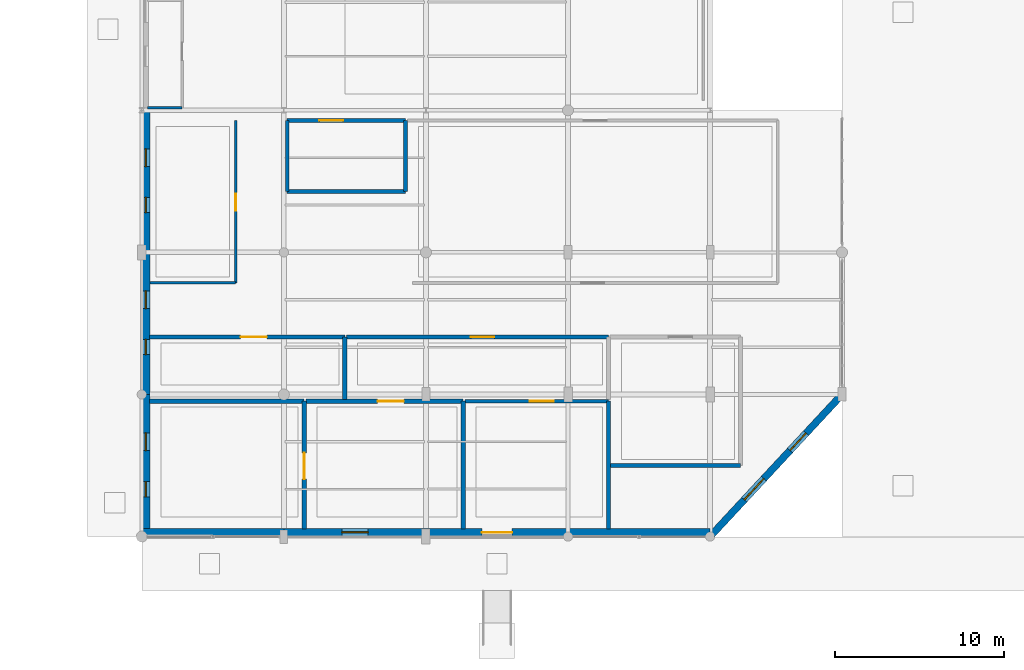
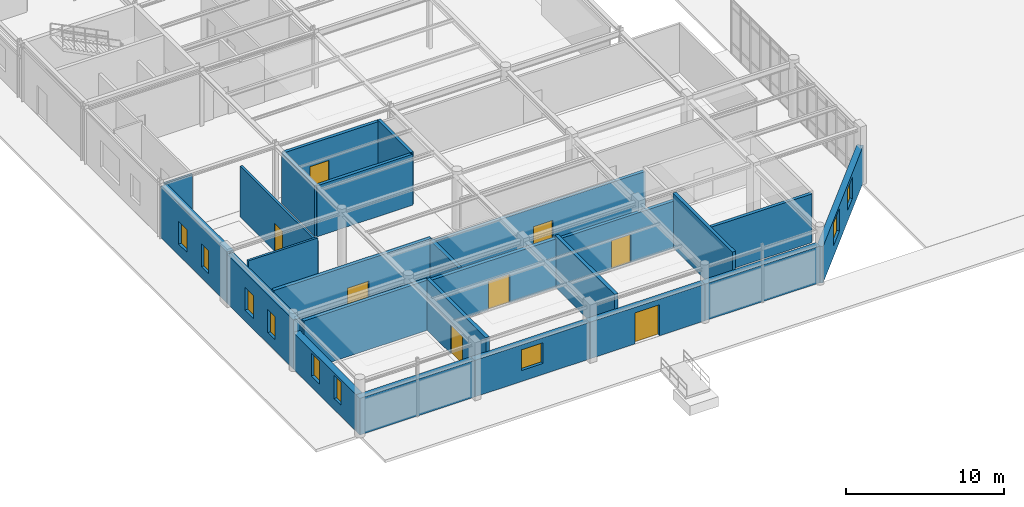
# One storey, part 78 of 101: 25 walls, 9 windows, 8 doors, 17 openings.
"""IFC4 building model written with IfcOpenShell, lengths in metres."""

from ifc_helpers import new_model, si_unit, derived_unit, direction, frame, frame_2d, origin, place, context, subcontext, project, spatial, rectangle, extrude, material, layer, layer_set, type_object, element, fill, save


model = new_model("IFC4")

# Units and contexts
model_context = context("Model", 3, precision=1e-05, world=origin(), true_north=direction((0.0, 1.0)))
body_context = subcontext(model_context, "Body", "Model", "MODEL_VIEW")
ifc_project = project(units=[si_unit("LENGTHUNIT", "METRE"), si_unit("AREAUNIT", "SQUARE_METRE"), si_unit("VOLUMEUNIT", "CUBIC_METRE"), si_unit("PLANEANGLEUNIT", "RADIAN"), si_unit("MASSUNIT", "GRAM", prefix="KILO"), derived_unit("THERMALTRANSMITTANCEUNIT", [(si_unit("POWERUNIT", "WATT"), 1), (si_unit("AREAUNIT", "SQUARE_METRE"), -1), (si_unit("THERMODYNAMICTEMPERATUREUNIT", "KELVIN"), -1)])], contexts=[model_context])

# Site, building, storey
site_placement = place(None, origin())
site = spatial("IfcSite", under=ifc_project, at=site_placement, CompositionType="ELEMENT")
building_placement = place(site_placement, origin())
building = spatial("IfcBuilding", under=site, at=building_placement, Name="Yasenodar Specialist Clinic", CompositionType="ELEMENT")
storey_placement = place(building_placement, origin())
storey = spatial("IfcBuildingStorey", under=building, at=storey_placement, Name="L00", CompositionType="ELEMENT", Elevation=0.0)

# Wall, openings, windows
ifc_material_1 = material(Name="Kapustianske Red Granite Ashlar Rainscreen", Category="masonry")
ifc_layer_1 = layer(ifc_material_1, 0.419921875)
ifc_layer_set_1 = layer_set([ifc_layer_1], Name="Kapustianske Red Granite Ashlar Rainscreen")
wall_type_1 = type_object("IfcWallType", Name="EW-GRAN-420", PredefinedType="SOLIDWALL", material=ifc_layer_set_1)
wall_1_placement = place(storey_placement, frame((41.39990234375, 8.39990234375, 0.0), z_axis=(0.0, 0.0, 1.0), x_axis=(-0.680446197767, -0.732798043082, 0.0)))
wall_1 = element("IfcWall", 1, at=wall_1_placement, inside=storey, type_object=wall_type_1, Name="L00 Exterior Facade Wall 0047", PredefinedType="SOLIDWALL", context=body_context, shape_type="SweptSolid", body=[
    extrude(rectangle(XDim=11.462890625, YDim=0.419921875, at=frame_2d((5.7314453125, 0.0))), origin(), (0.0, 0.0, 1.0), 2.827880859375),
])
opening_1_placement = place(wall_1_placement, frame((3.12109375, 0.0, 0.85009765625)))
opening_1 = element("IfcOpeningElement", 2, at=opening_1_placement, cuts=wall_1, Name="Opening W-11", PredefinedType="OPENING", context=body_context, shape_type="SweptSolid", body=[
    extrude(rectangle(XDim=1.39990234375, YDim=1.64990234375, at=frame_2d((0.699951171875, 0.824951171875))), frame((0.0, 0.219970703125, 0.0), z_axis=(0.0, -1.0, 0.0), x_axis=(1.0, 0.0, 0.0)), (0.0, 0.0, 1.0), 0.43994140625),
])
opening_2_placement = place(wall_1_placement, frame((6.7919921875, 0.0, 0.85009765625)))
opening_2 = element("IfcOpeningElement", 3, at=opening_2_placement, cuts=wall_1, Name="Opening W-12", PredefinedType="OPENING", context=body_context, shape_type="SweptSolid", body=[
    extrude(rectangle(XDim=1.699951171875, YDim=1.75, at=frame_2d((0.85009765625, 0.875))), frame((0.0, 0.219970703125, 0.0), z_axis=(0.0, -1.0, 0.0), x_axis=(1.0, 0.0, 0.0)), (0.0, 0.0, 1.0), 0.43994140625),
])
ifc_material_2 = material(Name="Triple Low-E Argon Glazing in Bronze Aluminium Frame", Category="aluminium")
window_type_1 = type_object("IfcWindowType", Name="WIN-EXT-11", PartitioningType="SINGLE_PANEL", PredefinedType="WINDOW", material=ifc_material_2)
window_1_placement = place(opening_1_placement, origin())
window_1 = element("IfcWindow", 4, at=window_1_placement, inside=storey, type_object=window_type_1, Name="L00 Triple-Glazed Reveal Window 0029", OverallHeight=1.64990234375, OverallWidth=1.39990234375, PartitioningType="SINGLE_PANEL", PredefinedType="WINDOW", context=body_context, shape_type="SweptSolid", body=[
    extrude(rectangle(XDim=1.39990234375, YDim=1.64990234375, at=frame_2d((0.699951171875, 0.824951171875))), frame((0.0, 0.030029296875, 0.0), z_axis=(0.0, -1.0, 0.0), x_axis=(1.0, 0.0, 0.0)), (0.0, 0.0, 1.0), 0.06005859375),
])
fill(opening_1, window_1)
window_type_2 = type_object("IfcWindowType", Name="WIN-EXT-12", PartitioningType="SINGLE_PANEL", PredefinedType="WINDOW", material=ifc_material_2)
window_2_placement = place(opening_2_placement, origin())
window_2 = element("IfcWindow", 5, at=window_2_placement, inside=storey, type_object=window_type_2, Name="L00 Triple-Glazed Reveal Window 0030", OverallHeight=1.75, OverallWidth=1.699951171875, PartitioningType="SINGLE_PANEL", PredefinedType="WINDOW", context=body_context, shape_type="SweptSolid", body=[
    extrude(rectangle(XDim=1.699951171875, YDim=1.75, at=frame_2d((0.85009765625, 0.875))), frame((0.0, 0.030029296875, 0.0), z_axis=(0.0, -1.0, 0.0), x_axis=(1.0, 0.0, 0.0)), (0.0, 0.0, 1.0), 0.06005859375),
])
fill(opening_2, window_2)

# Wall
ifc_material_3 = material(Name="Shielded Kapustianske Granite MRI Vault Wall", Category="masonry")
ifc_layer_2 = layer(ifc_material_3, 0.47998046875)
ifc_layer_set_2 = layer_set([ifc_layer_2], Name="Shielded Kapustianske Granite MRI Vault Wall")
wall_type_2 = type_object("IfcWallType", Name="EW-MRI-480", PredefinedType="SOLIDWALL", material=ifc_layer_set_2)
wall_2_placement = place(storey_placement, frame((33.60009765625, 0.239990234375, 0.0), z_axis=(0.0, 0.0, 1.0), x_axis=(-1.0, 0.0, 0.0)))
element("IfcWall", 6, at=wall_2_placement, inside=storey, type_object=wall_type_2, Name="L00 Exterior Facade Wall 0040", PredefinedType="SOLIDWALL", context=body_context, shape_type="SweptSolid", body=[
    extrude(rectangle(XDim=8.400146484375, YDim=0.47998046875, at=frame_2d((4.2001953125, 0.0))), origin(), (0.0, 0.0, 1.0), 2.827880859375),
])

# Wall, opening, door
wall_3_placement = place(storey_placement, frame((25.199951171875, 0.239990234375, 0.0), z_axis=(0.0, 0.0, 1.0), x_axis=(-1.0, 0.0, 0.0)))
wall_3 = element("IfcWall", 7, at=wall_3_placement, inside=storey, type_object=wall_type_2, Name="L00 Exterior Facade Wall 0041", PredefinedType="SOLIDWALL", context=body_context, shape_type="SweptSolid", body=[
    extrude(rectangle(XDim=8.39990234375, YDim=0.47998046875, at=frame_2d((4.199951171875, 0.0))), origin(), (0.0, 0.0, 1.0), 2.827880859375),
])
opening_3_placement = place(wall_3_placement, frame((3.300048828125, 0.0, 0.0)))
opening_3 = element("IfcOpeningElement", 8, at=opening_3_placement, cuts=wall_3, Name="Opening EX-03", PredefinedType="OPENING", context=body_context, shape_type="SweptSolid", body=[
    extrude(rectangle(XDim=1.800048828125, YDim=2.39990234375, at=frame_2d((0.89990234375, 1.199951171875))), frame((0.0, 0.25, 0.0), z_axis=(0.0, -1.0, 0.0), x_axis=(1.0, 0.0, 0.0)), (0.0, 0.0, 1.0), 0.5),
])
ifc_material_4 = material(Name="Thermally Broken Bronze Anodized Aluminium and Laminated Glass", Category="aluminium")
door_type_1 = type_object("IfcDoorType", Name="DR-EX-180", OperationType="DOUBLE_DOOR_SINGLE_SWING", PredefinedType="DOOR", material=ifc_material_4)
door_1_placement = place(opening_3_placement, origin())
door_1 = element("IfcDoor", 9, at=door_1_placement, inside=storey, type_object=door_type_1, Name="L00 Imaging South Fire-Lane Exit Door EX-08", OperationType="DOUBLE_DOOR_SINGLE_SWING", OverallHeight=2.39990234375, OverallWidth=1.800048828125, PredefinedType="DOOR", context=body_context, shape_type="SweptSolid", body=[
    extrude(rectangle(XDim=1.800048828125, YDim=2.39990234375, at=frame_2d((0.89990234375, 1.199951171875))), frame((0.0, 0.02490234375, 0.0), z_axis=(0.0, -1.0, 0.0), x_axis=(1.0, 0.0, 0.0)), (0.0, 0.0, 1.0), 0.050048828125),
])
fill(opening_3, door_1)

# Wall, opening, window
wall_4_placement = place(storey_placement, frame((16.800048828125, 0.239990234375, 0.0), z_axis=(0.0, 0.0, 1.0), x_axis=(-1.0, 0.0, 0.0)))
wall_4 = element("IfcWall", 10, at=wall_4_placement, inside=storey, type_object=wall_type_2, Name="L00 Exterior Facade Wall 0042", PredefinedType="SOLIDWALL", context=body_context, shape_type="SweptSolid", body=[
    extrude(rectangle(XDim=8.400146484375, YDim=0.47998046875, at=frame_2d((4.2001953125, 0.0))), origin(), (0.0, 0.0, 1.0), 2.827880859375),
])
opening_4_placement = place(wall_4_placement, frame((3.425048828125, 0.0, 0.85009765625)))
opening_4 = element("IfcOpeningElement", 11, at=opening_4_placement, cuts=wall_4, Name="Opening W-16", PredefinedType="OPENING", context=body_context, shape_type="SweptSolid", body=[
    extrude(rectangle(XDim=1.550048828125, YDim=1.60009765625, at=frame_2d((0.77490234375, 0.800048828125))), frame((0.0, 0.25, 0.0), z_axis=(0.0, -1.0, 0.0), x_axis=(1.0, 0.0, 0.0)), (0.0, 0.0, 1.0), 0.5),
])
window_type_3 = type_object("IfcWindowType", Name="WIN-EXT-16", PartitioningType="SINGLE_PANEL", PredefinedType="WINDOW", material=ifc_material_2)
window_3_placement = place(opening_4_placement, origin())
window_3 = element("IfcWindow", 12, at=window_3_placement, inside=storey, type_object=window_type_3, Name="L00 Triple-Glazed Reveal Window 0022", OverallHeight=1.60009765625, OverallWidth=1.550048828125, PartitioningType="SINGLE_PANEL", PredefinedType="WINDOW", context=body_context, shape_type="SweptSolid", body=[
    extrude(rectangle(XDim=1.550048828125, YDim=1.60009765625, at=frame_2d((0.77490234375, 0.800048828125))), frame((0.0, 0.030029296875, 0.0), z_axis=(0.0, -1.0, 0.0), x_axis=(1.0, 0.0, 0.0)), (0.0, 0.0, 1.0), 0.06005859375),
])
fill(opening_4, window_3)

# Wall
wall_5_placement = place(storey_placement, frame((8.39990234375, 0.239990234375, 0.0), z_axis=(0.0, 0.0, 1.0), x_axis=(-1.0, 0.0, 0.0)))
element("IfcWall", 13, at=wall_5_placement, inside=storey, type_object=wall_type_2, Name="L00 Exterior Facade Wall 0043", PredefinedType="SOLIDWALL", context=body_context, shape_type="SweptSolid", body=[
    extrude(rectangle(XDim=8.39990234375, YDim=0.47998046875, at=frame_2d((4.199951171875, 0.0))), origin(), (0.0, 0.0, 1.0), 2.827880859375),
])

# Wall, openings, windows
wall_6_placement = place(storey_placement, frame((0.239990234375, 0.0, 0.0), z_axis=(0.0, 0.0, 1.0), x_axis=(0.0, 1.0, 0.0)))
wall_6 = element("IfcWall", 14, at=wall_6_placement, inside=storey, type_object=wall_type_2, Name="L00 Exterior Facade Wall 0044", PredefinedType="SOLIDWALL", context=body_context, shape_type="SweptSolid", body=[
    extrude(rectangle(XDim=8.39990234375, YDim=0.47998046875, at=frame_2d((4.199951171875, 0.0))), origin(), (0.0, 0.0, 1.0), 2.827880859375),
])
opening_5_placement = place(wall_6_placement, frame((2.35009765625, 0.0, 0.85009765625)))
opening_5 = element("IfcOpeningElement", 15, at=opening_5_placement, cuts=wall_6, Name="Opening W-09", PredefinedType="OPENING", context=body_context, shape_type="SweptSolid", body=[
    extrude(rectangle(XDim=0.89990234375, YDim=1.800048828125, at=frame_2d((0.449951171875, 0.89990234375))), frame((0.0, 0.25, 0.0), z_axis=(0.0, -1.0, 0.0), x_axis=(1.0, 0.0, 0.0)), (0.0, 0.0, 1.0), 0.5),
])
opening_6_placement = place(wall_6_placement, frame((5.074951171875, 0.0, 0.85009765625)))
opening_6 = element("IfcOpeningElement", 16, at=opening_6_placement, cuts=wall_6, Name="Opening W-10", PredefinedType="OPENING", context=body_context, shape_type="SweptSolid", body=[
    extrude(rectangle(XDim=1.050048828125, YDim=1.75, at=frame_2d((0.52490234375, 0.875))), frame((0.0, 0.25, 0.0), z_axis=(0.0, -1.0, 0.0), x_axis=(1.0, 0.0, 0.0)), (0.0, 0.0, 1.0), 0.5),
])
window_type_4 = type_object("IfcWindowType", Name="WIN-EXT-09", PartitioningType="SINGLE_PANEL", PredefinedType="WINDOW", material=ifc_material_2)
window_4_placement = place(opening_5_placement, origin())
window_4 = element("IfcWindow", 17, at=window_4_placement, inside=storey, type_object=window_type_4, Name="L00 Triple-Glazed Reveal Window 0023", OverallHeight=1.800048828125, OverallWidth=0.89990234375, PartitioningType="SINGLE_PANEL", PredefinedType="WINDOW", context=body_context, shape_type="SweptSolid", body=[
    extrude(rectangle(XDim=0.89990234375, YDim=1.800048828125, at=frame_2d((0.449951171875, 0.89990234375))), frame((0.0, 0.030029296875, 0.0), z_axis=(0.0, -1.0, 0.0), x_axis=(1.0, 0.0, 0.0)), (0.0, 0.0, 1.0), 0.06005859375),
])
fill(opening_5, window_4)
window_type_5 = type_object("IfcWindowType", Name="WIN-EXT-10", PartitioningType="SINGLE_PANEL", PredefinedType="WINDOW", material=ifc_material_2)
window_5_placement = place(opening_6_placement, origin())
window_5 = element("IfcWindow", 18, at=window_5_placement, inside=storey, type_object=window_type_5, Name="L00 Triple-Glazed Reveal Window 0024", OverallHeight=1.75, OverallWidth=1.050048828125, PartitioningType="SINGLE_PANEL", PredefinedType="WINDOW", context=body_context, shape_type="SweptSolid", body=[
    extrude(rectangle(XDim=1.050048828125, YDim=1.75, at=frame_2d((0.52490234375, 0.875))), frame((0.0, 0.030029296875, 0.0), z_axis=(0.0, -1.0, 0.0), x_axis=(1.0, 0.0, 0.0)), (0.0, 0.0, 1.0), 0.06005859375),
])
fill(opening_6, window_5)

wall_7_placement = place(storey_placement, frame((0.239990234375, 8.39990234375, 0.0), z_axis=(0.0, 0.0, 1.0), x_axis=(0.0, 1.0, 0.0)))
wall_7 = element("IfcWall", 19, at=wall_7_placement, inside=storey, type_object=wall_type_2, Name="L00 Exterior Facade Wall 0045", PredefinedType="SOLIDWALL", context=body_context, shape_type="SweptSolid", body=[
    extrude(rectangle(XDim=8.400146484375, YDim=0.47998046875, at=frame_2d((4.2001953125, 0.0))), origin(), (0.0, 0.0, 1.0), 3.77294921875),
])
opening_7_placement = place(wall_7_placement, frame((2.35009765625, 0.0, 0.85009765625)))
opening_7 = element("IfcOpeningElement", 20, at=opening_7_placement, cuts=wall_7, Name="Opening W-09", PredefinedType="OPENING", context=body_context, shape_type="SweptSolid", body=[
    extrude(rectangle(XDim=0.89990234375, YDim=1.800048828125, at=frame_2d((0.449951171875, 0.89990234375))), frame((0.0, 0.25, 0.0), z_axis=(0.0, -1.0, 0.0), x_axis=(1.0, 0.0, 0.0)), (0.0, 0.0, 1.0), 0.5),
])
opening_8_placement = place(wall_7_placement, frame((5.074951171875, 0.0, 0.85009765625)))
opening_8 = element("IfcOpeningElement", 21, at=opening_8_placement, cuts=wall_7, Name="Opening W-10", PredefinedType="OPENING", context=body_context, shape_type="SweptSolid", body=[
    extrude(rectangle(XDim=1.050048828125, YDim=1.75, at=frame_2d((0.52490234375, 0.875))), frame((0.0, 0.25, 0.0), z_axis=(0.0, -1.0, 0.0), x_axis=(1.0, 0.0, 0.0)), (0.0, 0.0, 1.0), 0.5),
])
window_6_placement = place(opening_7_placement, origin())
window_6 = element("IfcWindow", 22, at=window_6_placement, inside=storey, type_object=window_type_4, Name="L00 Triple-Glazed Reveal Window 0025", OverallHeight=1.800048828125, OverallWidth=0.89990234375, PartitioningType="SINGLE_PANEL", PredefinedType="WINDOW", context=body_context, shape_type="SweptSolid", body=[
    extrude(rectangle(XDim=0.89990234375, YDim=1.800048828125, at=frame_2d((0.449951171875, 0.89990234375))), frame((0.0, 0.030029296875, 0.0), z_axis=(0.0, -1.0, 0.0), x_axis=(1.0, 0.0, 0.0)), (0.0, 0.0, 1.0), 0.06005859375),
])
fill(opening_7, window_6)
window_7_placement = place(opening_8_placement, origin())
window_7 = element("IfcWindow", 23, at=window_7_placement, inside=storey, type_object=window_type_5, Name="L00 Triple-Glazed Reveal Window 0026", OverallHeight=1.75, OverallWidth=1.050048828125, PartitioningType="SINGLE_PANEL", PredefinedType="WINDOW", context=body_context, shape_type="SweptSolid", body=[
    extrude(rectangle(XDim=1.050048828125, YDim=1.75, at=frame_2d((0.52490234375, 0.875))), frame((0.0, 0.030029296875, 0.0), z_axis=(0.0, -1.0, 0.0), x_axis=(1.0, 0.0, 0.0)), (0.0, 0.0, 1.0), 0.06005859375),
])
fill(opening_8, window_7)

wall_8_placement = place(storey_placement, frame((0.239990234375, 16.800048828125, 0.0), z_axis=(0.0, 0.0, 1.0), x_axis=(0.0, 1.0, 0.0)))
wall_8 = element("IfcWall", 24, at=wall_8_placement, inside=storey, type_object=wall_type_2, Name="L00 Exterior Facade Wall 0046", PredefinedType="SOLIDWALL", context=body_context, shape_type="SweptSolid", body=[
    extrude(rectangle(XDim=8.39990234375, YDim=0.47998046875, at=frame_2d((4.199951171875, 0.0))), origin(), (0.0, 0.0, 1.0), 3.943115234375),
])
opening_9_placement = place(wall_8_placement, frame((2.35009765625, 0.0, 0.85009765625)))
opening_9 = element("IfcOpeningElement", 25, at=opening_9_placement, cuts=wall_8, Name="Opening W-09", PredefinedType="OPENING", context=body_context, shape_type="SweptSolid", body=[
    extrude(rectangle(XDim=0.89990234375, YDim=1.800048828125, at=frame_2d((0.449951171875, 0.89990234375))), frame((0.0, 0.25, 0.0), z_axis=(0.0, -1.0, 0.0), x_axis=(1.0, 0.0, 0.0)), (0.0, 0.0, 1.0), 0.5),
])
opening_10_placement = place(wall_8_placement, frame((5.074951171875, 0.0, 0.85009765625)))
opening_10 = element("IfcOpeningElement", 26, at=opening_10_placement, cuts=wall_8, Name="Opening W-10", PredefinedType="OPENING", context=body_context, shape_type="SweptSolid", body=[
    extrude(rectangle(XDim=1.050048828125, YDim=1.75, at=frame_2d((0.52490234375, 0.875))), frame((0.0, 0.25, 0.0), z_axis=(0.0, -1.0, 0.0), x_axis=(1.0, 0.0, 0.0)), (0.0, 0.0, 1.0), 0.5),
])
window_8_placement = place(opening_9_placement, origin())
window_8 = element("IfcWindow", 27, at=window_8_placement, inside=storey, type_object=window_type_4, Name="L00 Triple-Glazed Reveal Window 0027", OverallHeight=1.800048828125, OverallWidth=0.89990234375, PartitioningType="SINGLE_PANEL", PredefinedType="WINDOW", context=body_context, shape_type="SweptSolid", body=[
    extrude(rectangle(XDim=0.89990234375, YDim=1.800048828125, at=frame_2d((0.449951171875, 0.89990234375))), frame((0.0, 0.030029296875, 0.0), z_axis=(0.0, -1.0, 0.0), x_axis=(1.0, 0.0, 0.0)), (0.0, 0.0, 1.0), 0.06005859375),
])
fill(opening_9, window_8)
window_9_placement = place(opening_10_placement, origin())
window_9 = element("IfcWindow", 28, at=window_9_placement, inside=storey, type_object=window_type_5, Name="L00 Triple-Glazed Reveal Window 0028", OverallHeight=1.75, OverallWidth=1.050048828125, PartitioningType="SINGLE_PANEL", PredefinedType="WINDOW", context=body_context, shape_type="SweptSolid", body=[
    extrude(rectangle(XDim=1.050048828125, YDim=1.75, at=frame_2d((0.52490234375, 0.875))), frame((0.0, 0.030029296875, 0.0), z_axis=(0.0, -1.0, 0.0), x_axis=(1.0, 0.0, 0.0)), (0.0, 0.0, 1.0), 0.06005859375),
])
fill(opening_10, window_9)

# Wall
ifc_material_5 = material(Name="Outpatient Examination Partition")
ifc_layer_3 = layer(ifc_material_5, 0.14990234375)
ifc_layer_set_3 = layer_set([ifc_layer_3], Name="Outpatient Examination Partition")
wall_type_3 = type_object("IfcWallType", Name="IW-CONS-150", PredefinedType="PARTITIONING", material=ifc_layer_set_3)
wall_9_placement = place(storey_placement, frame((0.35009765625, 25.35009765625, 0.0), z_axis=(0.0, 0.0, 1.0), x_axis=(1.0, 0.0, 0.0)))
element("IfcWall", 29, at=wall_9_placement, inside=storey, type_object=wall_type_3, Name="L00 Phlebotomy Suite South Partition", PredefinedType="PARTITIONING", context=body_context, shape_type="SweptSolid", body=[
    extrude(rectangle(XDim=2.02978515625, YDim=0.14990234375, at=frame_2d((1.014892578125, 0.0))), origin(), (0.0, 0.0, 1.0), 3.97802734375),
])

# Wall, opening, door
ifc_material_6 = material(Name="Acoustic Double-Gypsum Consulting Partition")
ifc_layer_4 = layer(ifc_material_6, 0.159912109375)
ifc_layer_set_4 = layer_set([ifc_layer_4], Name="Acoustic Double-Gypsum Consulting Partition")
wall_type_4 = type_object("IfcWallType", Name="IW-CONS-160", PredefinedType="PARTITIONING", material=ifc_layer_set_4)
wall_10_placement = place(storey_placement, frame((5.550048828125, 15.0, 0.0), z_axis=(0.0, 0.0, 1.0), x_axis=(0.0, 1.0, 0.0)))
wall_10 = element("IfcWall", 30, at=wall_10_placement, inside=storey, type_object=wall_type_4, Name="L00 Contrast Prep and Cannulation Room Partition", PredefinedType="PARTITIONING", context=body_context, shape_type="SweptSolid", body=[
    extrude(rectangle(XDim=9.60009765625, YDim=0.159912109375, at=frame_2d((4.800048828125, 0.0))), origin(), (0.0, 0.0, 1.0), 3.943115234375),
])
opening_11_placement = place(wall_10_placement, frame((4.25, 0.0, 0.0)))
opening_11 = element("IfcOpeningElement", 31, at=opening_11_placement, cuts=wall_10, Name="Opening D-03", PredefinedType="OPENING", context=body_context, shape_type="SweptSolid", body=[
    extrude(rectangle(XDim=1.02001953125, YDim=2.14990234375, at=frame_2d((0.510009765625, 1.074951171875))), frame((0.0, 0.08984375, 0.0), z_axis=(0.0, -1.0, 0.0), x_axis=(1.0, 0.0, 0.0)), (0.0, 0.0, 1.0), 0.179931640625),
])
ifc_material_7 = material(Name="Powder-Coated Steel and Acoustic Laminate Leaf", Category="steel")
door_type_2 = type_object("IfcDoorType", Name="DR-CLN-102", OperationType="NOTDEFINED", PredefinedType="DOOR", material=ifc_material_7)
door_2_placement = place(opening_11_placement, origin())
door_2 = element("IfcDoor", 32, at=door_2_placement, inside=storey, type_object=door_type_2, Name="L00 Contrast Prep and Cannulation Room Door", OperationType="SINGLE_SWING_LEFT", OverallHeight=2.14990234375, OverallWidth=1.02001953125, PredefinedType="DOOR", context=body_context, shape_type="SweptSolid", body=[
    extrude(rectangle(XDim=1.02001953125, YDim=2.14990234375, at=frame_2d((0.510009765625, 1.074951171875))), frame((0.0, 0.02490234375, 0.0), z_axis=(0.0, -1.0, 0.0), x_axis=(1.0, 0.0, 0.0)), (0.0, 0.0, 1.0), 0.050048828125),
])
fill(opening_11, door_2)

# Wall
wall_11_placement = place(storey_placement, frame((0.47998046875, 15.0, 0.0), z_axis=(0.0, 0.0, 1.0), x_axis=(1.0, 0.0, 0.0)))
element("IfcWall", 33, at=wall_11_placement, inside=storey, type_object=wall_type_4, Name="L00 Contrast Prep and Cannulation Room Partition", PredefinedType="PARTITIONING", context=body_context, shape_type="SweptSolid", body=[
    extrude(rectangle(XDim=5.070068359375, YDim=0.159912109375, at=frame_2d((2.53515625, 0.0))), origin(), (0.0, 0.0, 1.0), 4.22998046875),
])

# Wall, opening, door
ifc_material_8 = material(Name="Shielded CT Control Partition")
ifc_layer_5 = layer(ifc_material_8, 0.22998046875)
ifc_layer_set_5 = layer_set([ifc_layer_5], Name="Shielded CT Control Partition")
wall_type_5 = type_object("IfcWallType", Name="IW-LEAD-230", PredefinedType="PARTITIONING", material=ifc_layer_set_5)
wall_12_placement = place(storey_placement, frame((8.60009765625, 24.60009765625, 0.0), z_axis=(0.0, 0.0, 1.0), x_axis=(1.0, 0.0, 0.0)))
wall_12 = element("IfcWall", 34, at=wall_12_placement, inside=storey, type_object=wall_type_5, Name="L00 Fire Command Centre Partition", PredefinedType="PARTITIONING", context=body_context, shape_type="SweptSolid", body=[
    extrude(rectangle(XDim=7.0, YDim=0.22998046875, at=frame_2d((3.5, 0.0))), origin(), (0.0, 0.0, 1.0), 3.93310546875),
])
opening_12_placement = place(wall_12_placement, frame((1.89990234375, 0.0, 0.0)))
opening_12 = element("IfcOpeningElement", 35, at=opening_12_placement, cuts=wall_12, Name="Opening XD-01", PredefinedType="OPENING", context=body_context, shape_type="SweptSolid", body=[
    extrude(rectangle(XDim=1.39990234375, YDim=2.199951171875, at=frame_2d((0.699951171875, 1.10009765625))), frame((0.0, 0.125, 0.0), z_axis=(0.0, -1.0, 0.0), x_axis=(1.0, 0.0, 0.0)), (0.0, 0.0, 1.0), 0.25),
])
ifc_material_9 = material(Name="Fire-Rated Insulated Steel Door", Category="steel")
door_type_3 = type_object("IfcDoorType", Name="DR-LEAD-140", OperationType="NOTDEFINED", PredefinedType="DOOR", material=ifc_material_9)
door_3_placement = place(opening_12_placement, origin())
door_3 = element("IfcDoor", 36, at=door_3_placement, inside=storey, type_object=door_type_3, Name="L00 Fire Command Centre Door", OperationType="SINGLE_SWING_RIGHT", OverallHeight=2.199951171875, OverallWidth=1.39990234375, PredefinedType="DOOR", context=body_context, shape_type="SweptSolid", body=[
    extrude(rectangle(XDim=1.39990234375, YDim=2.199951171875, at=frame_2d((0.699951171875, 1.10009765625))), frame((0.0, 0.02490234375, 0.0), z_axis=(0.0, -1.0, 0.0), x_axis=(1.0, 0.0, 0.0)), (0.0, 0.0, 1.0), 0.050048828125),
])
fill(opening_12, door_3)

# Walls
wall_13_placement = place(storey_placement, frame((8.60009765625, 20.39990234375, 0.0), z_axis=(0.0, 0.0, 1.0), x_axis=(0.0, 1.0, 0.0)))
element("IfcWall", 37, at=wall_13_placement, inside=storey, type_object=wall_type_5, Name="L00 Fire Command Centre Partition", PredefinedType="PARTITIONING", context=body_context, shape_type="SweptSolid", body=[
    extrude(rectangle(XDim=4.2001953125, YDim=0.22998046875, at=frame_2d((2.10009765625, 0.0))), origin(), (0.0, 0.0, 1.0), 3.93310546875),
])
wall_14_placement = place(storey_placement, frame((15.60009765625, 24.60009765625, 0.0), z_axis=(0.0, 0.0, 1.0), x_axis=(0.0, -1.0, 0.0)))
element("IfcWall", 38, at=wall_14_placement, inside=storey, type_object=wall_type_5, Name="L00 Fire Command Centre Partition", PredefinedType="PARTITIONING", context=body_context, shape_type="SweptSolid", body=[
    extrude(rectangle(XDim=4.2001953125, YDim=0.22998046875, at=frame_2d((2.10009765625, 0.0))), origin(), (0.0, 0.0, 1.0), 4.012939453125),
])
wall_15_placement = place(storey_placement, frame((15.60009765625, 20.39990234375, 0.0), z_axis=(0.0, 0.0, 1.0), x_axis=(-1.0, 0.0, 0.0)))
element("IfcWall", 39, at=wall_15_placement, inside=storey, type_object=wall_type_5, Name="L00 Fire Command Centre Partition", PredefinedType="PARTITIONING", context=body_context, shape_type="SweptSolid", body=[
    extrude(rectangle(XDim=7.0, YDim=0.22998046875, at=frame_2d((3.5, 0.0))), origin(), (0.0, 0.0, 1.0), 3.93310546875),
])

# Wall, opening, door
wall_16_placement = place(storey_placement, frame((19.107421875, 8.0, 0.0), z_axis=(0.0, 0.0, 1.0), x_axis=(1.0, 0.0, 0.0)))
wall_16 = element("IfcWall", 40, at=wall_16_placement, inside=storey, type_object=wall_type_5, Name="L00 CT Scanner Suite 01 Partition", PredefinedType="PARTITIONING", context=body_context, shape_type="SweptSolid", body=[
    extrude(rectangle(XDim=8.49267578125, YDim=0.22998046875, at=frame_2d((4.246337890625, 0.0))), origin(), (0.0, 0.0, 1.0), 3.6630859375),
])
opening_13_placement = place(wall_16_placement, frame((3.842529296875, 0.0, 0.0)))
opening_13 = element("IfcOpeningElement", 41, at=opening_13_placement, cuts=wall_16, Name="Opening XD-01", PredefinedType="OPENING", context=body_context, shape_type="SweptSolid", body=[
    extrude(rectangle(XDim=1.39990234375, YDim=2.199951171875, at=frame_2d((0.699951171875, 1.10009765625))), frame((0.0, 0.125, 0.0), z_axis=(0.0, -1.0, 0.0), x_axis=(1.0, 0.0, 0.0)), (0.0, 0.0, 1.0), 0.25),
])
door_4_placement = place(opening_13_placement, origin())
door_4 = element("IfcDoor", 42, at=door_4_placement, inside=storey, type_object=door_type_3, Name="L00 CT Scanner Suite 01 Door", OperationType="SINGLE_SWING_LEFT", OverallHeight=2.199951171875, OverallWidth=1.39990234375, PredefinedType="DOOR", context=body_context, shape_type="SweptSolid", body=[
    extrude(rectangle(XDim=1.39990234375, YDim=2.199951171875, at=frame_2d((0.699951171875, 1.10009765625))), frame((0.0, 0.02490234375, 0.0), z_axis=(0.0, -1.0, 0.0), x_axis=(1.0, 0.0, 0.0)), (0.0, 0.0, 1.0), 0.050048828125),
])
fill(opening_13, door_4)

# Walls
wall_17_placement = place(storey_placement, frame((27.60009765625, 8.0, 0.0), z_axis=(0.0, 0.0, 1.0), x_axis=(0.0, -1.0, 0.0)))
element("IfcWall", 43, at=wall_17_placement, inside=storey, type_object=wall_type_5, Name="L00 CT Scanner Suite 01 Partition", PredefinedType="PARTITIONING", context=body_context, shape_type="SweptSolid", body=[
    extrude(rectangle(XDim=7.5400390625, YDim=0.22998046875, at=frame_2d((3.77001953125, 0.0))), origin(), (0.0, 0.0, 1.0), 4.22998046875),
])
wall_18_placement = place(storey_placement, frame((35.39990234375, 4.199951171875, 0.0), z_axis=(0.0, 0.0, 1.0), x_axis=(-1.0, 0.0, 0.0)))
element("IfcWall", 44, at=wall_18_placement, inside=storey, type_object=wall_type_5, Name="L00 CT Scanner Suite 02 Partition", PredefinedType="PARTITIONING", context=body_context, shape_type="SweptSolid", body=[
    extrude(rectangle(XDim=7.704833984375, YDim=0.22998046875, at=frame_2d((3.8525390625, 0.0))), origin(), (0.0, 0.0, 1.0), 3.762939453125),
])

# Wall, opening, door
wall_19_placement = place(storey_placement, frame((12.107421875, 11.800048828125, 0.0), z_axis=(0.0, 0.0, 1.0), x_axis=(1.0, 0.0, 0.0)))
wall_19 = element("IfcWall", 45, at=wall_19_placement, inside=storey, type_object=wall_type_5, Name="L00 CT Control and Patient Changing Room Partition", PredefinedType="PARTITIONING", context=body_context, shape_type="SweptSolid", body=[
    extrude(rectangle(XDim=15.49267578125, YDim=0.22998046875, at=frame_2d((7.746337890625, 0.0))), origin(), (0.0, 0.0, 1.0), 3.613037109375),
])
opening_14_placement = place(wall_19_placement, frame((7.342529296875, 0.0, 0.0)))
opening_14 = element("IfcOpeningElement", 46, at=opening_14_placement, cuts=wall_19, Name="Opening XD-01", PredefinedType="OPENING", context=body_context, shape_type="SweptSolid", body=[
    extrude(rectangle(XDim=1.39990234375, YDim=2.199951171875, at=frame_2d((0.699951171875, 1.10009765625))), frame((0.0, 0.125, 0.0), z_axis=(0.0, -1.0, 0.0), x_axis=(1.0, 0.0, 0.0)), (0.0, 0.0, 1.0), 0.25),
])
door_5_placement = place(opening_14_placement, origin())
door_5 = element("IfcDoor", 47, at=door_5_placement, inside=storey, type_object=door_type_3, Name="L00 CT Control and Patient Changing Room Door", OperationType="SINGLE_SWING_LEFT", OverallHeight=2.199951171875, OverallWidth=1.39990234375, PredefinedType="DOOR", context=body_context, shape_type="SweptSolid", body=[
    extrude(rectangle(XDim=1.39990234375, YDim=2.199951171875, at=frame_2d((0.699951171875, 1.10009765625))), frame((0.0, 0.02490234375, 0.0), z_axis=(0.0, -1.0, 0.0), x_axis=(1.0, 0.0, 0.0)), (0.0, 0.0, 1.0), 0.050048828125),
])
fill(opening_14, door_5)

ifc_material_10 = material(Name="Barium-Plaster and Lead-Lined X-Ray Wall")
ifc_layer_6 = layer(ifc_material_10, 0.2548828125)
ifc_layer_set_6 = layer_set([ifc_layer_6], Name="Barium-Plaster and Lead-Lined X-Ray Wall")
wall_type_6 = type_object("IfcWallType", Name="IW-LEAD-255", PredefinedType="PARTITIONING", material=ifc_layer_set_6)
wall_20_placement = place(storey_placement, frame((9.60009765625, 8.0, 0.0), z_axis=(0.0, 0.0, 1.0), x_axis=(0.0, -1.0, 0.0)))
wall_20 = element("IfcWall", 48, at=wall_20_placement, inside=storey, type_object=wall_type_6, Name="L00 MRI Scanner Vault 01 Partition", PredefinedType="PARTITIONING", context=body_context, shape_type="SweptSolid", body=[
    extrude(rectangle(XDim=7.5400390625, YDim=0.2548828125, at=frame_2d((3.77001953125, 0.0))), origin(), (0.0, 0.0, 1.0), 3.9130859375),
])
opening_15_placement = place(wall_20_placement, frame((3.050048828125, 0.0, 0.0)))
opening_15 = element("IfcOpeningElement", 49, at=opening_15_placement, cuts=wall_20, Name="Opening XD-02", PredefinedType="OPENING", context=body_context, shape_type="SweptSolid", body=[
    extrude(rectangle(XDim=1.550048828125, YDim=2.219970703125, at=frame_2d((0.77490234375, 1.10986328125))), frame((0.0, 0.137451171875, 0.0), z_axis=(0.0, -1.0, 0.0), x_axis=(1.0, 0.0, 0.0)), (0.0, 0.0, 1.0), 0.27490234375),
])
door_type_4 = type_object("IfcDoorType", Name="DR-LEAD-155", OperationType="DOUBLE_DOOR_SINGLE_SWING", PredefinedType="DOOR", material=ifc_material_9)
door_6_placement = place(opening_15_placement, origin())
door_6 = element("IfcDoor", 50, at=door_6_placement, inside=storey, type_object=door_type_4, Name="L00 MRI Scanner Vault 01 Door", OperationType="DOUBLE_DOOR_SINGLE_SWING", OverallHeight=2.219970703125, OverallWidth=1.550048828125, PredefinedType="DOOR", context=body_context, shape_type="SweptSolid", body=[
    extrude(rectangle(XDim=1.550048828125, YDim=2.219970703125, at=frame_2d((0.77490234375, 1.10986328125))), frame((0.0, 0.02490234375, 0.0), z_axis=(0.0, -1.0, 0.0), x_axis=(1.0, 0.0, 0.0)), (0.0, 0.0, 1.0), 0.050048828125),
])
fill(opening_15, door_6)

# Wall
wall_21_placement = place(storey_placement, frame((0.4599609375, 8.0, 0.0), z_axis=(0.0, 0.0, 1.0), x_axis=(1.0, 0.0, 0.0)))
element("IfcWall", 51, at=wall_21_placement, inside=storey, type_object=wall_type_6, Name="L00 MRI Scanner Vault 01 Partition", PredefinedType="PARTITIONING", context=body_context, shape_type="SweptSolid", body=[
    extrude(rectangle(XDim=9.14013671875, YDim=0.2548828125, at=frame_2d((4.570068359375, 0.0))), origin(), (0.0, 0.0, 1.0), 3.873046875),
])

# Wall, opening, door
wall_22_placement = place(storey_placement, frame((9.70751953125, 8.0, 0.0), z_axis=(0.0, 0.0, 1.0), x_axis=(1.0, 0.0, 0.0)))
wall_22 = element("IfcWall", 52, at=wall_22_placement, inside=storey, type_object=wall_type_6, Name="L00 MRI Scanner Vault 02 Partition", PredefinedType="PARTITIONING", context=body_context, shape_type="SweptSolid", body=[
    extrude(rectangle(XDim=9.29248046875, YDim=0.2548828125, at=frame_2d((4.646240234375, 0.0))), origin(), (0.0, 0.0, 1.0), 3.762939453125),
])
opening_16_placement = place(wall_22_placement, frame((4.242431640625, 0.0, 0.0)))
opening_16 = element("IfcOpeningElement", 53, at=opening_16_placement, cuts=wall_22, Name="Opening XD-02", PredefinedType="OPENING", context=body_context, shape_type="SweptSolid", body=[
    extrude(rectangle(XDim=1.550048828125, YDim=2.219970703125, at=frame_2d((0.77490234375, 1.10986328125))), frame((0.0, 0.137451171875, 0.0), z_axis=(0.0, -1.0, 0.0), x_axis=(1.0, 0.0, 0.0)), (0.0, 0.0, 1.0), 0.27490234375),
])
door_7_placement = place(opening_16_placement, origin())
door_7 = element("IfcDoor", 54, at=door_7_placement, inside=storey, type_object=door_type_4, Name="L00 MRI Scanner Vault 02 Door", OperationType="DOUBLE_DOOR_SINGLE_SWING", OverallHeight=2.219970703125, OverallWidth=1.550048828125, PredefinedType="DOOR", context=body_context, shape_type="SweptSolid", body=[
    extrude(rectangle(XDim=1.550048828125, YDim=2.219970703125, at=frame_2d((0.77490234375, 1.10986328125))), frame((0.0, 0.02490234375, 0.0), z_axis=(0.0, -1.0, 0.0), x_axis=(1.0, 0.0, 0.0)), (0.0, 0.0, 1.0), 0.050048828125),
])
fill(opening_16, door_7)

# Wall
wall_23_placement = place(storey_placement, frame((19.0, 8.0, 0.0), z_axis=(0.0, 0.0, 1.0), x_axis=(0.0, -1.0, 0.0)))
element("IfcWall", 55, at=wall_23_placement, inside=storey, type_object=wall_type_6, Name="L00 MRI Scanner Vault 02 Partition", PredefinedType="PARTITIONING", context=body_context, shape_type="SweptSolid", body=[
    extrude(rectangle(XDim=7.5400390625, YDim=0.2548828125, at=frame_2d((3.77001953125, 0.0))), origin(), (0.0, 0.0, 1.0), 3.972900390625),
])

# Wall, opening, door
wall_24_placement = place(storey_placement, frame((0.4599609375, 11.800048828125, 0.0), z_axis=(0.0, 0.0, 1.0), x_axis=(1.0, 0.0, 0.0)))
wall_24 = element("IfcWall", 56, at=wall_24_placement, inside=storey, type_object=wall_type_6, Name="L00 MRI Shielded Control Room Partition", PredefinedType="PARTITIONING", context=body_context, shape_type="SweptSolid", body=[
    extrude(rectangle(XDim=11.5400390625, YDim=0.2548828125, at=frame_2d((5.77001953125, 0.0))), origin(), (0.0, 0.0, 1.0), 3.9130859375),
])
opening_17_placement = place(wall_24_placement, frame((5.389892578125, 0.0, 0.0)))
opening_17 = element("IfcOpeningElement", 57, at=opening_17_placement, cuts=wall_24, Name="Opening XD-02", PredefinedType="OPENING", context=body_context, shape_type="SweptSolid", body=[
    extrude(rectangle(XDim=1.550048828125, YDim=2.219970703125, at=frame_2d((0.77490234375, 1.10986328125))), frame((0.0, 0.137451171875, 0.0), z_axis=(0.0, -1.0, 0.0), x_axis=(1.0, 0.0, 0.0)), (0.0, 0.0, 1.0), 0.27490234375),
])
door_8_placement = place(opening_17_placement, origin())
door_8 = element("IfcDoor", 58, at=door_8_placement, inside=storey, type_object=door_type_4, Name="L00 MRI Shielded Control Room Door", OperationType="DOUBLE_DOOR_SINGLE_SWING", OverallHeight=2.219970703125, OverallWidth=1.550048828125, PredefinedType="DOOR", context=body_context, shape_type="SweptSolid", body=[
    extrude(rectangle(XDim=1.550048828125, YDim=2.219970703125, at=frame_2d((0.77490234375, 1.10986328125))), frame((0.0, 0.02490234375, 0.0), z_axis=(0.0, -1.0, 0.0), x_axis=(1.0, 0.0, 0.0)), (0.0, 0.0, 1.0), 0.050048828125),
])
fill(opening_17, door_8)

# Wall
wall_25_placement = place(storey_placement, frame((12.0, 11.800048828125, 0.0), z_axis=(0.0, 0.0, 1.0), x_axis=(0.0, -1.0, 0.0)))
element("IfcWall", 59, at=wall_25_placement, inside=storey, type_object=wall_type_6, Name="L00 MRI Shielded Control Room Partition", PredefinedType="PARTITIONING", context=body_context, shape_type="SweptSolid", body=[
    extrude(rectangle(XDim=3.692626953125, YDim=0.2548828125, at=frame_2d((1.84619140625, 0.0))), origin(), (0.0, 0.0, 1.0), 3.822998046875),
])

save(model, "model.ifc")
